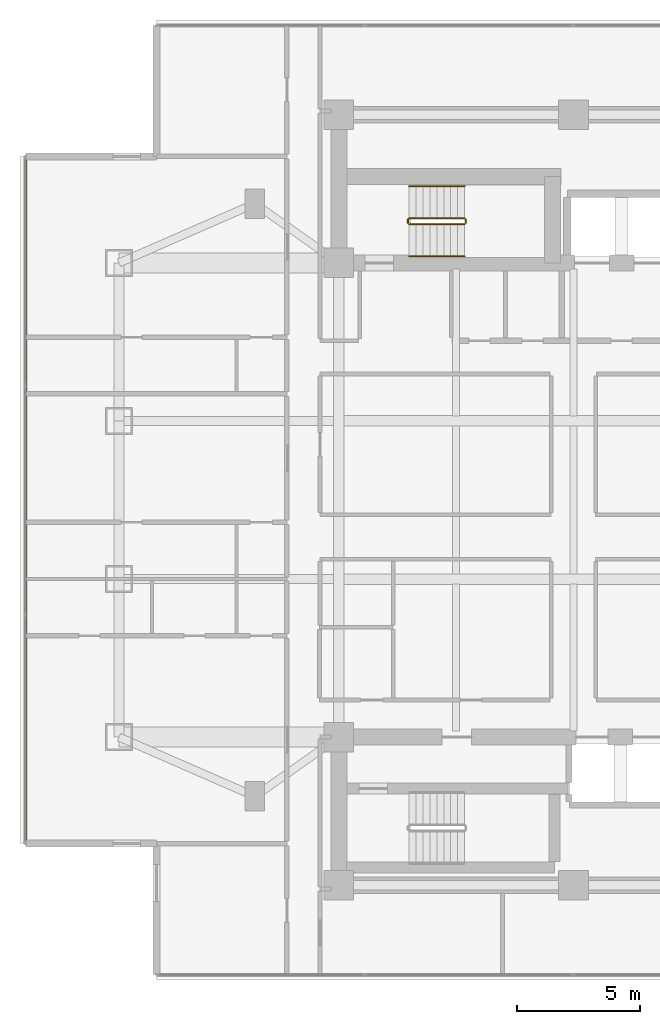
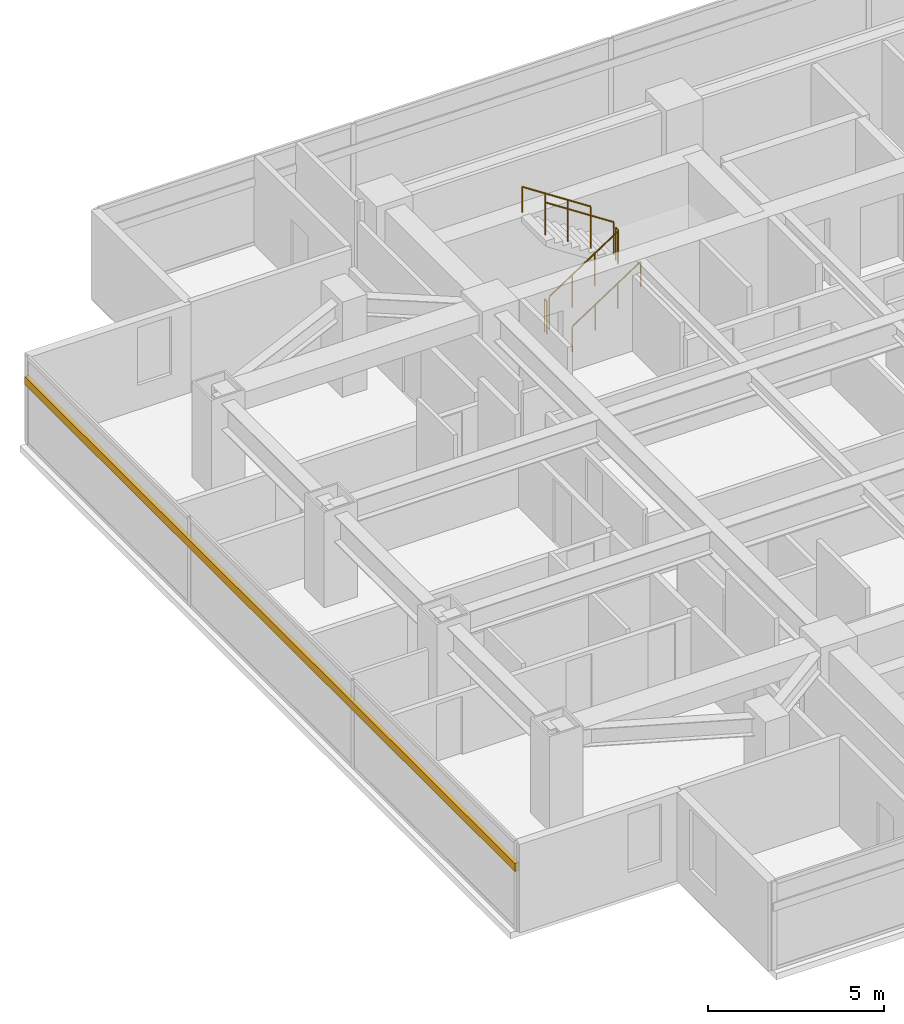
# One storey, part 22 of 25: 6 railings, 1 shading device.
"""IFC4 building model written with IfcOpenShell, lengths in metres."""

from ifc_helpers import new_model, si_unit, direction, frame, origin, origin_2d, place, context, subcontext, project, spatial, rectangle, circle, extrude, material, material_profile, profile_set, type_object, element, save


model = new_model("IFC4")

# Units and contexts
model_context = context("Model", 3, precision=1e-05, world=origin(), true_north=direction((0.0, 1.0)))
body_context = subcontext(model_context, "Body", "Model", "MODEL_VIEW")
ifc_project = project(units=[si_unit("LENGTHUNIT", "METRE"), si_unit("AREAUNIT", "SQUARE_METRE"), si_unit("VOLUMEUNIT", "CUBIC_METRE"), si_unit("PLANEANGLEUNIT", "RADIAN"), si_unit("MASSUNIT", "GRAM", prefix="KILO")], contexts=[model_context])

# Site, building, storey
site_placement = place(None, origin())
site = spatial("IfcSite", under=ifc_project, at=site_placement, CompositionType="ELEMENT")
building_placement = place(site_placement, origin())
building = spatial("IfcBuilding", under=site, at=building_placement, Name="Mirazonda Arch Towers", CompositionType="ELEMENT")
storey_placement = place(building_placement, frame((0.0, 0.0, 111.5)))
storey = spatial("IfcBuildingStorey", under=building, at=storey_placement, Name="L31", CompositionType="ELEMENT", Elevation=111.5)

# Shading device
ifc_material_1 = material(Name="Kiln-Fired Architectural Terracotta", Category="masonry")
ifc_material_profile = material_profile(ifc_material_1, rectangle(XDim=0.139892578125, YDim=0.280029296875, at=origin_2d()), Name="TERRA-BAG-140x280")
ifc_profile_set = profile_set([ifc_material_profile], Name="Kiln-Fired Architectural Terracotta")
shading_device_type = type_object("IfcShadingDeviceType", Name="BAGUETTE-3", PredefinedType="USERDEFINED", material=ifc_profile_set)
shading_device_placement = place(storey_placement, frame((-1.68994140625, 41.910888671875, 2.203125), z_axis=(0.0, -1.0, 0.0), x_axis=(1.0, 0.0, 0.0)))
element("IfcShadingDevice", 1, at=shading_device_placement, inside=storey, type_object=shading_device_type, Name="L31 Glazed Terracotta Sun-Screen Baguette CW-L31-T1-W", ObjectType="BAGUETTE", PredefinedType="USERDEFINED", context=body_context, shape_type="SweptSolid", body=[
    extrude(rectangle(XDim=0.139892578125, YDim=0.280029296875, at=origin_2d()), origin(), (0.0, 0.0, 1.0), 27.82177734375),
])

# Railings
ifc_material_2 = material(Name="Architectural Brushed Steel S355", Category="steel")
railing_type_1 = type_object("IfcRailingType", Name="GUARD-STAIR-1120", PredefinedType="GUARDRAIL", material=ifc_material_2)
railing_1_placement = place(storey_placement, frame((13.85009765625, 39.169921875, 0.183349609375)))
element("IfcRailing", 2, at=railing_1_placement, inside=storey, type_object=railing_type_1, Name="L31 ST-T1N stair guard 1", PredefinedType="GUARDRAIL", context=body_context, shape_type="SweptSolid", body=[
    extrude(circle(Radius=0.02392578125, at=origin_2d()), frame((0.0, 0.0, 1.1259765625), z_axis=(0.836636935527, 0.0, 0.547757827979), x_axis=(0.0, 1.0, 0.0)), (0.0, 0.0, 1.0), 2.677490234375),
    extrude(circle(Radius=0.02099609375, at=origin_2d()), origin(), (0.0, 0.0, 1.0), 1.101806640625),
    extrude(circle(Radius=0.02099609375, at=origin_2d()), frame((0.74658203125, 0.0, 0.48876953125)), (0.0, 0.0, 1.0), 1.101806640625),
    extrude(circle(Radius=0.02099609375, at=origin_2d()), frame((1.493408203125, 0.0, 0.977783203125)), (0.0, 0.0, 1.0), 1.101806640625),
    extrude(circle(Radius=0.02099609375, at=origin_2d()), frame((2.239990234375, 0.0, 1.466552734375)), (0.0, 0.0, 1.0), 1.101806640625),
])
railing_2_placement = place(storey_placement, frame((16.139892578125, 39.219970703125, 1.64990234375)))
element("IfcRailing", 3, at=railing_2_placement, inside=storey, type_object=railing_type_1, Name="L31 ST-T1N stair guard 2", PredefinedType="GUARDRAIL", context=body_context, shape_type="SweptSolid", body=[
    extrude(circle(Radius=0.02392578125, at=origin_2d()), frame((0.0, 0.0, 1.1259765625), z_axis=(0.0, 1.0, 0.0), x_axis=(-1.0, 0.0, 0.0)), (0.0, 0.0, 1.0), 0.14013671875),
    extrude(circle(Radius=0.02099609375, at=origin_2d()), origin(), (0.0, 0.0, 1.0), 1.101806640625),
    extrude(circle(Radius=0.02099609375, at=origin_2d()), frame((0.0, 0.14013671875, 0.0)), (0.0, 0.0, 1.0), 1.101806640625),
])
railing_3_placement = place(storey_placement, frame((16.090087890625, 39.409912109375, 1.833251953125)))
element("IfcRailing", 4, at=railing_3_placement, inside=storey, type_object=railing_type_1, Name="L31 ST-T1N stair guard 3", PredefinedType="GUARDRAIL", context=body_context, shape_type="SweptSolid", body=[
    extrude(circle(Radius=0.02392578125, at=origin_2d()), frame((0.0, 0.0, 1.1259765625), z_axis=(-0.836595146698, 0.0, 0.547821650285), x_axis=(0.0, -1.0, 0.0)), (0.0, 0.0, 1.0), 2.677490234375),
    extrude(circle(Radius=0.02099609375, at=origin_2d()), origin(), (0.0, 0.0, 1.0), 1.101806640625),
    extrude(circle(Radius=0.02099609375, at=origin_2d()), frame((-0.74658203125, 0.0, 0.489013671875)), (0.0, 0.0, 1.0), 1.101806640625),
    extrude(circle(Radius=0.02099609375, at=origin_2d()), frame((-1.493408203125, 0.0, 0.977783203125)), (0.0, 0.0, 1.0), 1.101806640625),
    extrude(circle(Radius=0.02099609375, at=origin_2d()), frame((-2.239990234375, 0.0, 1.466796875)), (0.0, 0.0, 1.0), 1.101806640625),
])
railing_4_placement = place(storey_placement, frame((13.800048828125, 39.219970703125, 0.0)))
element("IfcRailing", 5, at=railing_4_placement, inside=storey, type_object=railing_type_1, Name="L31 ST-T1N stair guard 4", PredefinedType="GUARDRAIL", context=body_context, shape_type="SweptSolid", body=[
    extrude(circle(Radius=0.02392578125, at=origin_2d()), frame((0.0, 0.0, 1.1259765625), z_axis=(0.0, 1.0, 0.0), x_axis=(-1.0, 0.0, 0.0)), (0.0, 0.0, 1.0), 0.14013671875),
    extrude(circle(Radius=0.02099609375, at=origin_2d()), origin(), (0.0, 0.0, 1.0), 1.101806640625),
    extrude(circle(Radius=0.02099609375, at=origin_2d()), frame((0.0, 0.14013671875, 0.0)), (0.0, 0.0, 1.0), 1.101806640625),
])
railing_type_2 = type_object("IfcRailingType", Name="HANDRAIL-915", PredefinedType="HANDRAIL", material=ifc_material_2)
railing_5_placement = place(storey_placement, frame((13.85009765625, 37.8701171875, 0.183349609375)))
element("IfcRailing", 6, at=railing_5_placement, inside=storey, type_object=railing_type_2, Name="L31 ST-T1N stair handrail 1", PredefinedType="HANDRAIL", context=body_context, shape_type="SweptSolid", body=[
    extrude(circle(Radius=0.02392578125, at=origin_2d()), frame((0.0, 0.0, 0.8759765625), z_axis=(0.836636935527, 0.0, 0.547757827979), x_axis=(0.0, 1.0, 0.0)), (0.0, 0.0, 1.0), 2.677490234375),
    extrude(circle(Radius=0.02099609375, at=origin_2d()), origin(), (0.0, 0.0, 1.0), 0.851806640625),
    extrude(circle(Radius=0.02099609375, at=origin_2d()), frame((0.74658203125, 0.0, 0.48876953125)), (0.0, 0.0, 1.0), 0.851806640625),
    extrude(circle(Radius=0.02099609375, at=origin_2d()), frame((1.493408203125, 0.0, 0.977783203125)), (0.0, 0.0, 1.0), 0.851806640625),
    extrude(circle(Radius=0.02099609375, at=origin_2d()), frame((2.239990234375, 0.0, 1.466552734375)), (0.0, 0.0, 1.0), 0.851806640625),
])
railing_6_placement = place(storey_placement, frame((16.090087890625, 40.7099609375, 1.833251953125)))
element("IfcRailing", 7, at=railing_6_placement, inside=storey, type_object=railing_type_2, Name="L31 ST-T1N stair handrail 2", PredefinedType="HANDRAIL", context=body_context, shape_type="SweptSolid", body=[
    extrude(circle(Radius=0.02392578125, at=origin_2d()), frame((0.0, 0.0, 0.8759765625), z_axis=(-0.836595146698, 0.0, 0.547821650285), x_axis=(0.0, -1.0, 0.0)), (0.0, 0.0, 1.0), 2.677490234375),
    extrude(circle(Radius=0.02099609375, at=origin_2d()), origin(), (0.0, 0.0, 1.0), 0.851806640625),
    extrude(circle(Radius=0.02099609375, at=origin_2d()), frame((-0.74658203125, 0.0, 0.489013671875)), (0.0, 0.0, 1.0), 0.851806640625),
    extrude(circle(Radius=0.02099609375, at=origin_2d()), frame((-1.493408203125, 0.0, 0.977783203125)), (0.0, 0.0, 1.0), 0.851806640625),
    extrude(circle(Radius=0.02099609375, at=origin_2d()), frame((-2.239990234375, 0.0, 1.466796875)), (0.0, 0.0, 1.0), 0.851806640625),
])

save(model, "model.ifc")
